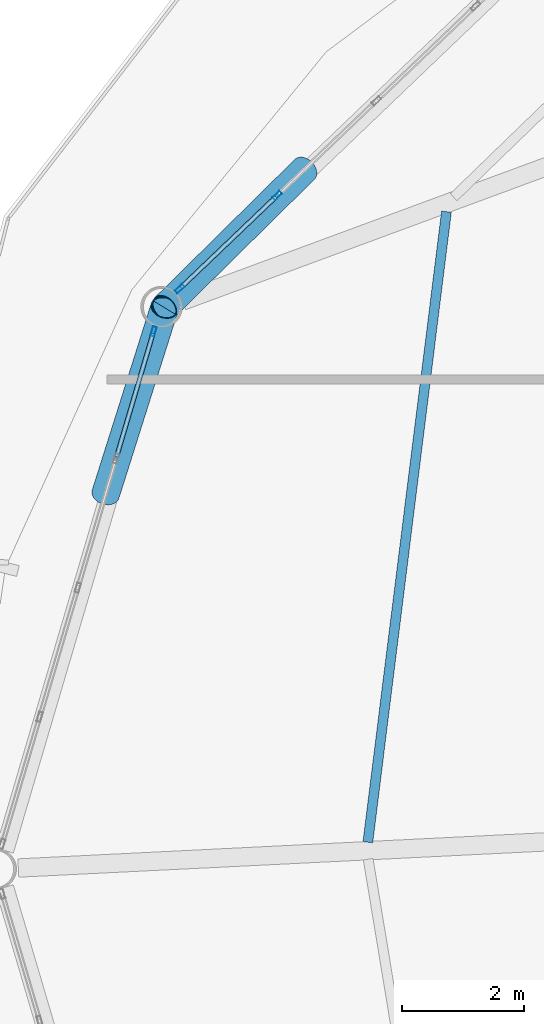
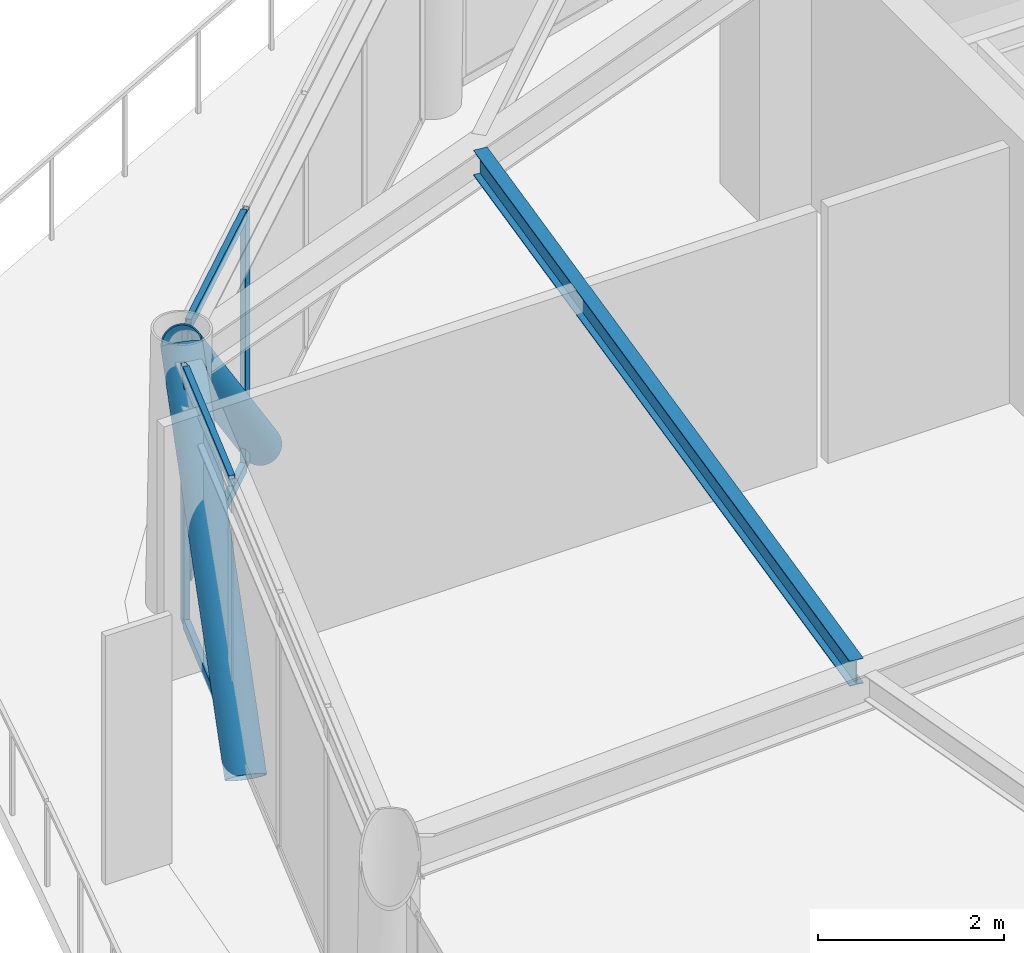
# One storey, part 13 of 28: 9 members, 1 beam, 2 elements without a shape of their own.
"""IFC4 building model written with IfcOpenShell, lengths in metres."""

from ifc_helpers import new_model, si_unit, direction, frame, origin, origin_2d, place, context, subcontext, project, spatial, hollow_rectangle, hollow_circle, i_section, extrude, material, layer, layer_set, material_profile, profile_set, type_object, element, aggregate, save


model = new_model("IFC4")

# Units and contexts
model_context = context("Model", 3, precision=1e-05, world=origin(), true_north=direction((0.0, 1.0)))
body_context = subcontext(model_context, "Body", "Model", "MODEL_VIEW")
ifc_project = project(units=[si_unit("LENGTHUNIT", "METRE"), si_unit("AREAUNIT", "SQUARE_METRE"), si_unit("VOLUMEUNIT", "CUBIC_METRE"), si_unit("PLANEANGLEUNIT", "RADIAN"), si_unit("MASSUNIT", "GRAM", prefix="KILO")], contexts=[model_context])

# Site, building, storey
site_placement = place(None, origin())
site = spatial("IfcSite", under=ifc_project, at=site_placement, CompositionType="ELEMENT")
building_placement = place(site_placement, origin())
building = spatial("IfcBuilding", under=site, at=building_placement, Name="Varnakorn Sky Granary", CompositionType="ELEMENT")
storey_placement = place(building_placement, frame((0.0, 0.0, 200.39990234375)))
storey = spatial("IfcBuildingStorey", under=building, at=storey_placement, Name="L50", CompositionType="ELEMENT", Elevation=200.39990234375)

# Beam
ifc_material_1 = material(Name="Steel S355JR", Category="steel")
ifc_material_profile_1 = material_profile(ifc_material_1, i_section(OverallWidth=0.159912109375, OverallDepth=0.330078125, WebThickness=0.007568359375, FlangeThickness=0.011474609375, at=origin_2d()), Name="IPE 330")
ifc_profile_set_1 = profile_set([ifc_material_profile_1], Name="Steel S355JR")
beam_type = type_object("IfcBeamType", Name="BM-SEC-Z4", PredefinedType="BEAM", material=ifc_profile_set_1)
beam_placement = place(storey_placement, frame((-7.146728515625, 10.741455078125, 3.195068359375), z_axis=(-0.123733799258, -0.992315447285, 0.0), x_axis=(0.992315447285, -0.123733799258, 0.0)))
element("IfcBeam", 1, at=beam_placement, inside=storey, type_object=beam_type, Name="Secondary Floor Chord Beam MSB06 L50", PredefinedType="BEAM", context=body_context, shape_type="SweptSolid", body=[
    extrude(i_section(OverallWidth=0.159912109375, OverallDepth=0.330078125, WebThickness=0.007568359375, FlangeThickness=0.011474609375, at=origin_2d()), origin(), (0.0, 0.0, 1.0), 10.384521484375),
])

# Curtain wall, members
ifc_material_2 = material(Name="Anodised Bronze Aluminium Alloy 6063-T6", Category="aluminium")
ifc_layer = layer(ifc_material_2, 0.169921875, Name="Anodised Bronze Aluminium Alloy 6063-T6")
ifc_layer_set = layer_set([ifc_layer], Name="Anodised Bronze Aluminium Alloy 6063-T6")
curtain_wall_type = type_object("IfcCurtainWallType", Name="CW-LAB-1", PredefinedType="USERDEFINED", material=ifc_layer_set)
curtain_wall_1_placement = place(storey_placement, origin())
curtain_wall_1 = element("IfcCurtainWall", 2, at=curtain_wall_1_placement, inside=storey, type_object=curtain_wall_type, Name="Unitised Curtain Wall CW5 CW-L50-B05", ObjectType="CURTAIN WALL", PredefinedType="USERDEFINED")
ifc_material_profile_2 = material_profile(ifc_material_2, hollow_rectangle(XDim=0.06494140625, YDim=0.159912109375, WallThickness=0.00341796875, at=origin_2d()), Name="ALU MULL 65x160")
ifc_profile_set_2 = profile_set([ifc_material_profile_2], Name="Anodised Bronze Aluminium Alloy 6063-T6")
member_type_1 = type_object("IfcMemberType", Name="CW-LAB-1-MULL", PredefinedType="MULLION", material=ifc_profile_set_2)
member_1_placement = place(storey_placement, frame((-11.5078125, 9.48095703125, 0.0), z_axis=(0.0, 0.0, 1.0), x_axis=(-0.690696852284, 0.723144424195, 0.0)))
member_1 = element("IfcMember", 3, at=member_1_placement, type_object=member_type_1, Name="CW5 mullion 1", PredefinedType="MULLION", context=body_context, shape_type="SweptSolid", body=[
    extrude(hollow_rectangle(XDim=0.06494140625, YDim=0.159912109375, WallThickness=0.00341796875, at=origin_2d()), origin(), (0.0, 0.0, 1.0), 3.360107421875),
])
member_2_placement = place(storey_placement, frame((-9.91162109375, 11.00537109375, 0.0), z_axis=(0.0, 0.0, 1.0), x_axis=(-0.690696852284, 0.723144424195, 0.0)))
member_2 = element("IfcMember", 4, at=member_2_placement, type_object=member_type_1, Name="CW5 mullion 2", PredefinedType="MULLION", context=body_context, shape_type="SweptSolid", body=[
    extrude(hollow_rectangle(XDim=0.06494140625, YDim=0.159912109375, WallThickness=0.00341796875, at=origin_2d()), origin(), (0.0, 0.0, 1.0), 3.360107421875),
])

# Curtain wall, member
curtain_wall_2_placement = place(storey_placement, origin())
curtain_wall_2 = element("IfcCurtainWall", 5, at=curtain_wall_2_placement, inside=storey, type_object=curtain_wall_type, Name="Unitised Curtain Wall CW5 CW-L50-B06", ObjectType="CURTAIN WALL", PredefinedType="USERDEFINED")
member_3_placement = place(storey_placement, frame((-11.932861328125, 8.783935546875, 0.0), z_axis=(0.0, 0.0, 1.0), x_axis=(-0.959077331245, 0.283144261272, 0.0)))
member_3 = element("IfcMember", 6, at=member_3_placement, type_object=member_type_1, Name="CW5 mullion 5", PredefinedType="MULLION", context=body_context, shape_type="SweptSolid", body=[
    extrude(hollow_rectangle(XDim=0.06494140625, YDim=0.159912109375, WallThickness=0.00341796875, at=origin_2d()), origin(), (0.0, 0.0, 1.0), 3.360107421875),
])

# Member
ifc_material_profile_3 = material_profile(ifc_material_2, hollow_rectangle(XDim=0.070068359375, YDim=0.139892578125, WallThickness=0.00341796875, at=origin_2d()), Name="ALU TRAN 70x140")
ifc_profile_set_3 = profile_set([ifc_material_profile_3], Name="Anodised Bronze Aluminium Alloy 6063-T6")
member_type_2 = type_object("IfcMemberType", Name="CW-LAB-1-TRAN", PredefinedType="USERDEFINED", material=ifc_profile_set_3)
member_4_placement = place(storey_placement, frame((-11.484130859375, 9.503173828125, 0.03515625), z_axis=(0.72310452813, 0.690738620173, 0.0), x_axis=(-0.690738620173, 0.72310452813, 0.0)))
member_4 = element("IfcMember", 7, at=member_4_placement, type_object=member_type_2, Name="CW5 transom 1.1", ObjectType="TRANSOM", PredefinedType="USERDEFINED", context=body_context, shape_type="SweptSolid", body=[
    extrude(hollow_rectangle(XDim=0.070068359375, YDim=0.139892578125, WallThickness=0.00341796875, at=origin_2d()), origin(), (0.0, 0.0, 1.0), 2.142333984375),
])

member_5_placement = place(storey_placement, frame((-11.484130859375, 9.503173828125, 3.3251953125), z_axis=(0.72310452813, 0.690738620173, 0.0), x_axis=(-0.690738620173, 0.72310452813, 0.0)))
member_5 = element("IfcMember", 8, at=member_5_placement, type_object=member_type_2, Name="CW5 transom 1.2", ObjectType="TRANSOM", PredefinedType="USERDEFINED", context=body_context, shape_type="SweptSolid", body=[
    extrude(hollow_rectangle(XDim=0.070068359375, YDim=0.139892578125, WallThickness=0.00341796875, at=origin_2d()), origin(), (0.0, 0.0, 1.0), 2.142333984375),
])

aggregate(curtain_wall_1, [member_1, member_2, member_4, member_5])

member_6_placement = place(storey_placement, frame((-12.537353515625, 6.73583984375, 0.03515625), z_axis=(0.283159278241, 0.959072897723, 0.0), x_axis=(-0.959072897723, 0.283159278241, 0.0)))
member_6 = element("IfcMember", 9, at=member_6_placement, type_object=member_type_2, Name="CW5 transom 4.1", ObjectType="TRANSOM", PredefinedType="USERDEFINED", context=body_context, shape_type="SweptSolid", body=[
    extrude(hollow_rectangle(XDim=0.070068359375, YDim=0.139892578125, WallThickness=0.00341796875, at=origin_2d()), origin(), (0.0, 0.0, 1.0), 2.10302734375),
])

member_7_placement = place(storey_placement, frame((-12.537353515625, 6.73583984375, 3.3251953125), z_axis=(0.283159278241, 0.959072897723, 0.0), x_axis=(-0.959072897723, 0.283159278241, 0.0)))
member_7 = element("IfcMember", 10, at=member_7_placement, type_object=member_type_2, Name="CW5 transom 4.2", ObjectType="TRANSOM", PredefinedType="USERDEFINED", context=body_context, shape_type="SweptSolid", body=[
    extrude(hollow_rectangle(XDim=0.070068359375, YDim=0.139892578125, WallThickness=0.00341796875, at=origin_2d()), origin(), (0.0, 0.0, 1.0), 2.10302734375),
])

aggregate(curtain_wall_2, [member_3, member_6, member_7])

# Members
ifc_material_3 = material(Name="Steel S460M", Category="steel")
ifc_material_profile_4 = material_profile(ifc_material_3, hollow_circle(Radius=0.228515625, WallThickness=0.01611328125, at=origin_2d()), Name="CHS 457x16")
ifc_profile_set_4 = profile_set([ifc_material_profile_4], Name="Steel S460M")
member_type_3 = type_object("IfcMemberType", Name="MB-DIAG-T3", PredefinedType="BRACE", material=ifc_profile_set_4)
member_8_placement = place(storey_placement, frame((-9.465576171875, 11.431396484375, -0.1298828125), z_axis=(-0.482278249124, -0.476053644522, 0.735377874265), x_axis=(0.702499127878, -0.711684603831, 0.0)))
element("IfcMember", 11, at=member_8_placement, inside=storey, type_object=member_type_3, Name="Perimeter CHS Diagrid Brace DG05 L50", PredefinedType="BRACE", context=body_context, shape_type="SweptSolid", body=[
    extrude(hollow_circle(Radius=0.228515625, WallThickness=0.01611328125, at=origin_2d()), origin(), (0.0, 0.0, 1.0), 4.745849609375),
])
member_9_placement = place(storey_placement, frame((-12.717529296875, 6.1259765625, -0.1298828125), z_axis=(0.203560052019, 0.643807039046, 0.737614941346), x_axis=(-0.953475194919, 0.301471479038, 0.0)))
element("IfcMember", 12, at=member_9_placement, inside=storey, type_object=member_type_3, Name="Perimeter CHS Diagrid Brace DG06 L50", PredefinedType="BRACE", context=body_context, shape_type="SweptSolid", body=[
    extrude(hollow_circle(Radius=0.228515625, WallThickness=0.01611328125, at=origin_2d()), origin(), (0.0, 0.0, 1.0), 4.7314453125),
])

save(model, "model.ifc")
